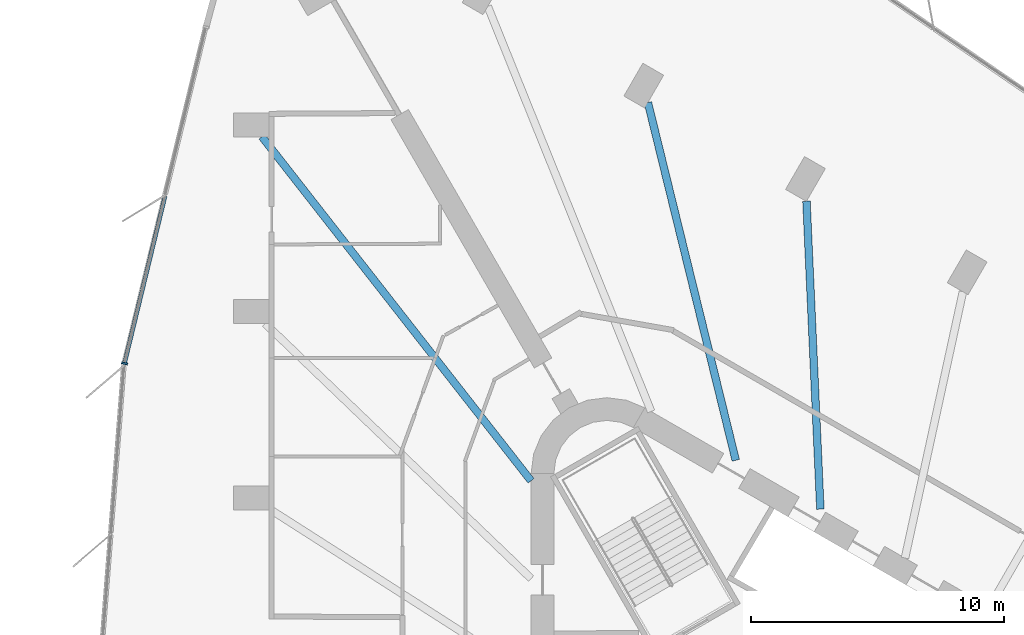
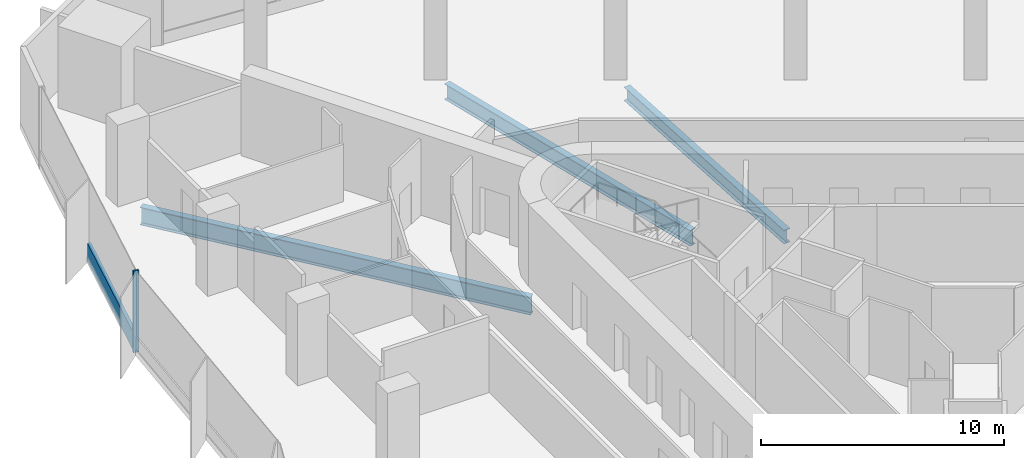
# One storey, part 4 of 14: 3 beams, 2 members, 1 element without a shape of its own.
"""IFC4 building model written with IfcOpenShell, lengths in metres."""

from ifc_helpers import new_model, si_unit, direction, frame, origin, origin_2d, place, context, subcontext, project, spatial, rectangle, i_section, extrude, material, material_profile, profile_set, type_object, element, aggregate, save


model = new_model("IFC4")

# Units and contexts
model_context = context("Model", 3, precision=1e-05, world=origin(), true_north=direction((0.0, 1.0)))
body_context = subcontext(model_context, "Body", "Model", "MODEL_VIEW")
ifc_project = project(units=[si_unit("LENGTHUNIT", "METRE"), si_unit("AREAUNIT", "SQUARE_METRE"), si_unit("VOLUMEUNIT", "CUBIC_METRE"), si_unit("PLANEANGLEUNIT", "RADIAN"), si_unit("MASSUNIT", "GRAM", prefix="KILO")], contexts=[model_context])

# Site, building, storey
site_placement = place(None, origin())
site = spatial("IfcSite", under=ifc_project, at=site_placement, CompositionType="ELEMENT")
building_placement = place(site_placement, origin())
building = spatial("IfcBuilding", under=site, at=building_placement, Name="Tanit Gate Tower", CompositionType="ELEMENT")
storey_placement = place(building_placement, frame((0.0, 0.0, 86.5)))
storey = spatial("IfcBuildingStorey", under=building, at=storey_placement, Name="L17", CompositionType="ELEMENT", Elevation=86.5)

# Curtain wall, member
ifc_material_1 = material(Name="Aluminium bronze anodised and glass", Category="aluminium")
curtain_wall_type = type_object("IfcCurtainWallType", Name="Curtain wall typical low", PredefinedType="NOTDEFINED", material=ifc_material_1)
curtain_wall_placement = place(storey_placement, origin())
curtain_wall = element("IfcCurtainWall", 1, at=curtain_wall_placement, inside=storey, type_object=curtain_wall_type, Name="Curtain wall L17 W1", PredefinedType="NOTDEFINED")
ifc_material_2 = material(Name="Aluminium bronze anodised", Category="aluminium")
ifc_material_profile_1 = material_profile(ifc_material_2, rectangle(XDim=0.239990234375, YDim=0.080078125, at=origin_2d()), Name="80x240 bronze mullion")
ifc_profile_set_1 = profile_set([ifc_material_profile_1], Name="Aluminium bronze anodised")
member_type_1 = type_object("IfcMemberType", Name="Mullion 80x240 typical low", PredefinedType="MULLION", material=ifc_profile_set_1)
member_1_placement = place(storey_placement, frame((-28.197265625, 20.120361328125, -0.300048828125), z_axis=(0.0, 0.0, 1.0), x_axis=(0.971845678209, -0.235618288228, 0.0)))
member_1 = element("IfcMember", 2, at=member_1_placement, type_object=member_type_1, Name="Mullion L17 W1.3", PredefinedType="MULLION", context=body_context, shape_type="SweptSolid", body=[
    extrude(rectangle(XDim=0.239990234375, YDim=0.080078125, at=origin_2d()), origin(), (0.0, 0.0, 1.0), 4.10009765625),
])

# Beams
ifc_material_3 = material(Name="Steel S355", Category="steel")
ifc_material_profile_2 = material_profile(ifc_material_3, i_section(OverallWidth=0.300048828125, OverallDepth=0.68994140625, WebThickness=0.014404296875, FlangeThickness=0.027099609375, FilletRadius=0.027099609375, at=origin_2d()), Name="HEA 700")
ifc_profile_set_2 = profile_set([ifc_material_profile_2], Name="Steel S355")
beam_type_1 = type_object("IfcBeamType", Name="RADIAL GIRDER HEA 700 S355", PredefinedType="BEAM", material=ifc_profile_set_2)
beam_1_placement = place(storey_placement, frame((-1.19921875, 26.538818359375, -0.64501953125), z_axis=(0.045135401382, -0.998980878467, 0.0), x_axis=(0.998980878467, 0.045135401382, 0.0)))
element("IfcBeam", 3, at=beam_1_placement, inside=storey, type_object=beam_type_1, Name="RADIAL GIRDER", PredefinedType="BEAM", context=body_context, shape_type="SweptSolid", body=[
    extrude(i_section(OverallWidth=0.300048828125, OverallDepth=0.68994140625, WebThickness=0.014404296875, FlangeThickness=0.027099609375, FilletRadius=0.027099609375, at=origin_2d()), origin(), (0.0, 0.0, 1.0), 12.202880859375),
])
ifc_material_4 = material(Name="Steel S355", Category="steel")
ifc_material_profile_3 = material_profile(ifc_material_4, i_section(OverallWidth=0.300048828125, OverallDepth=0.7900390625, WebThickness=0.014892578125, FlangeThickness=0.028076171875, FilletRadius=0.030029296875, at=origin_2d()), Name="HEA 800")
ifc_profile_set_3 = profile_set([ifc_material_profile_3], Name="Steel S355")
beam_type_2 = type_object("IfcBeamType", Name="RADIAL GIRDER HEA 800 S355", PredefinedType="BEAM", material=ifc_profile_set_3)
beam_2_placement = place(storey_placement, frame((-7.476318359375, 30.44921875, -0.695068359375), z_axis=(0.238441937153, -0.97115675491, 0.0), x_axis=(0.97115675491, 0.238441937153, 0.0)))
element("IfcBeam", 4, at=beam_2_placement, inside=storey, type_object=beam_type_2, Name="RADIAL GIRDER", PredefinedType="BEAM", context=body_context, shape_type="SweptSolid", body=[
    extrude(i_section(OverallWidth=0.300048828125, OverallDepth=0.7900390625, WebThickness=0.014892578125, FlangeThickness=0.028076171875, FilletRadius=0.030029296875, at=origin_2d()), origin(), (0.0, 0.0, 1.0), 14.58740234375),
])
ifc_material_5 = material(Name="Steel S355", Category="steel")
ifc_material_profile_4 = material_profile(ifc_material_5, i_section(OverallWidth=0.300048828125, OverallDepth=0.889892578125, WebThickness=0.01611328125, FlangeThickness=0.030029296875, FilletRadius=0.030029296875, at=origin_2d()), Name="HEA 900")
ifc_profile_set_4 = profile_set([ifc_material_profile_4], Name="Steel S355")
beam_type_3 = type_object("IfcBeamType", Name="RADIAL GIRDER HEA 900 S355", PredefinedType="BEAM", material=ifc_profile_set_4)
beam_3_placement = place(storey_placement, frame((-22.755126953125, 29.0908203125, -0.7451171875), z_axis=(0.616108365998, -0.787661400188, 0.0), x_axis=(0.787661400188, 0.616108365998, 0.0)))
element("IfcBeam", 5, at=beam_3_placement, inside=storey, type_object=beam_type_3, Name="RADIAL GIRDER", PredefinedType="BEAM", context=body_context, shape_type="SweptSolid", body=[
    extrude(i_section(OverallWidth=0.300048828125, OverallDepth=0.889892578125, WebThickness=0.01611328125, FlangeThickness=0.030029296875, FilletRadius=0.030029296875, at=origin_2d()), origin(), (0.0, 0.0, 1.0), 17.291015625),
])

# Member
ifc_material_6 = material(Name="Aluminium bronze anodised", Category="aluminium")
ifc_material_profile_5 = material_profile(ifc_material_6, rectangle(XDim=0.159912109375, YDim=0.89990234375, at=origin_2d()), Name="160x900 bronze transom")
ifc_profile_set_5 = profile_set([ifc_material_profile_5], Name="Aluminium bronze anodised")
member_type_2 = type_object("IfcMemberType", Name="Transom 160x900 typical low", PredefinedType="USERDEFINED", material=ifc_profile_set_5)
member_2_placement = place(storey_placement, frame((-26.593017578125, 26.7373046875, 0.14990234375), z_axis=(-0.235638221576, -0.971840845269, 0.0), x_axis=(0.971840845269, -0.235638221576, 0.0)))
member_2 = element("IfcMember", 6, at=member_2_placement, type_object=member_type_2, Name="Transom L17 W1.2", ObjectType="TRANSOM", PredefinedType="USERDEFINED", context=body_context, shape_type="SweptSolid", body=[
    extrude(rectangle(XDim=0.159912109375, YDim=0.89990234375, at=origin_2d()), origin(), (0.0, 0.0, 1.0), 6.768798828125),
])

aggregate(curtain_wall, [member_1, member_2])

save(model, "model.ifc")
